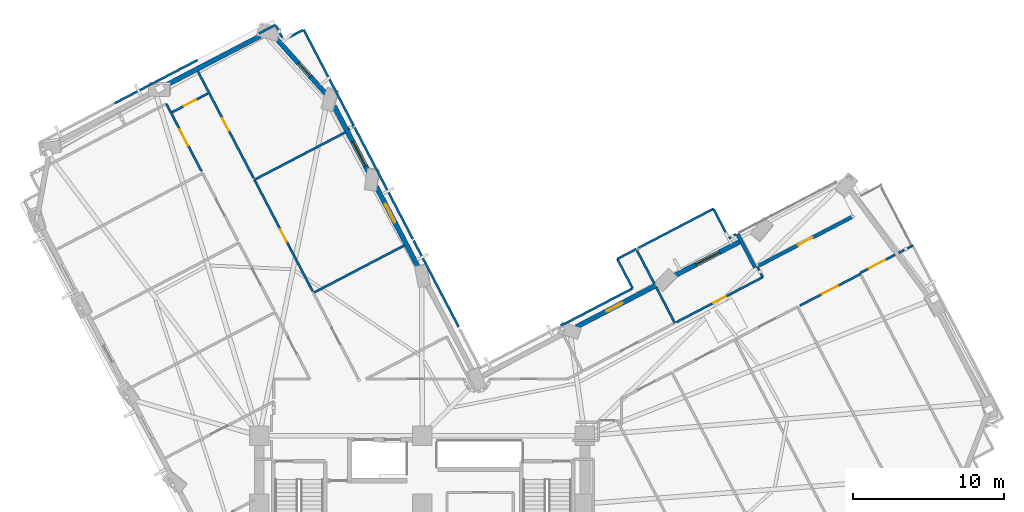
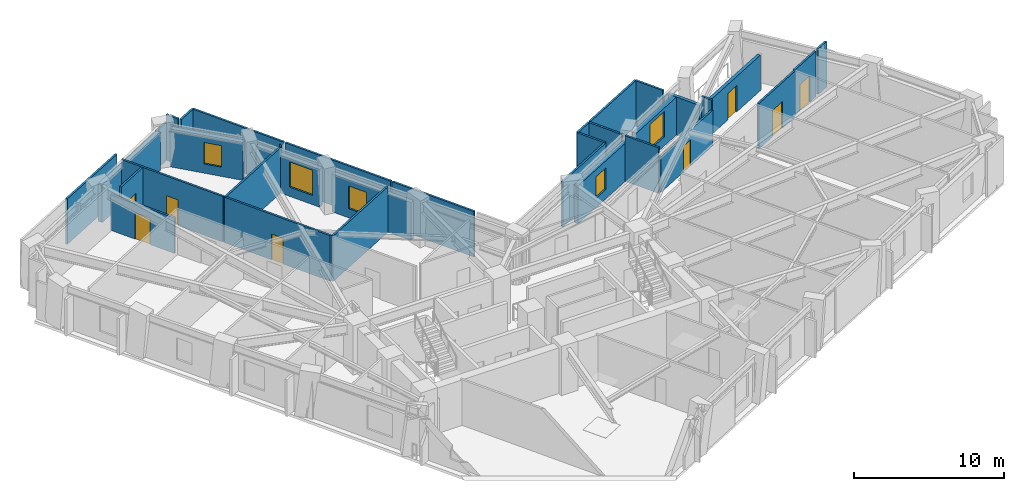
# One storey, part 11 of 16: 35 walls, 8 doors, 5 windows, 13 openings.
"""IFC4 building model written with IfcOpenShell, lengths in metres."""

from ifc_helpers import new_model, si_unit, direction, frame, frame_2d, origin, place, context, subcontext, project, spatial, rectangle, extrude, material, layer, layer_set, type_object, element, fill, save


model = new_model("IFC4")

# Units and contexts
model_context = context("Model", 3, precision=1e-05, world=origin(), true_north=direction((0.0, 1.0)))
body_context = subcontext(model_context, "Body", "Model", "MODEL_VIEW")
ifc_project = project(units=[si_unit("LENGTHUNIT", "METRE"), si_unit("AREAUNIT", "SQUARE_METRE"), si_unit("VOLUMEUNIT", "CUBIC_METRE"), si_unit("PLANEANGLEUNIT", "RADIAN"), si_unit("MASSUNIT", "GRAM", prefix="KILO")], contexts=[model_context])

# Site, building, storey
site_placement = place(None, origin())
site = spatial("IfcSite", under=ifc_project, at=site_placement, CompositionType="ELEMENT")
building_placement = place(site_placement, origin())
building = spatial("IfcBuilding", under=site, at=building_placement, Name="Gaonmaruhae Medical Tower", CompositionType="ELEMENT")
storey_placement = place(building_placement, frame((0.0, 0.0, 140.39990234375)))
storey = spatial("IfcBuildingStorey", under=building, at=storey_placement, Name="L33", CompositionType="ELEMENT", Elevation=140.39990234375)

# Wall, opening, door
ifc_material_1 = material(Name="Precast concrete C45/55", Category="concrete")
ifc_layer_1 = layer(ifc_material_1, 0.239990234375)
ifc_layer_set_1 = layer_set([ifc_layer_1], Name="Precast concrete C45/55")
wall_type_1 = type_object("IfcWallType", Name="EW-240 Ribbon & Shelter Insulated Precast Wall", PredefinedType="SOLIDWALL", material=ifc_layer_set_1)
wall_1_placement = place(storey_placement, frame((47.1318359375, 28.092041015625, 0.0), z_axis=(0.0, 0.0, 1.0), x_axis=(0.886598605973, 0.462539632774, 0.0)))
wall_1 = element("IfcWall", 1, at=wall_1_placement, inside=storey, type_object=wall_type_1, Name="L33 Recessed Terrace Enclosure Wall TERB", PredefinedType="SOLIDWALL", context=body_context, shape_type="SweptSolid", body=[
    extrude(rectangle(XDim=6.9599609375, YDim=0.239990234375, at=frame_2d((3.47998046875, 0.0))), origin(), (0.0, 0.0, 1.0), 2.885009765625),
])
opening_1_placement = place(wall_1_placement, frame((2.929931640625, 0.0, 0.0)))
opening_1 = element("IfcOpeningElement", 2, at=opening_1_placement, cuts=wall_1, Name="Opening TD-01", PredefinedType="OPENING", context=body_context, shape_type="SweptSolid", body=[
    extrude(rectangle(XDim=1.10009765625, YDim=2.14990234375, at=frame_2d((0.550048828125, 1.074951171875))), frame((0.0, 0.1298828125, 0.0), z_axis=(0.0, -1.0, 0.0), x_axis=(1.0, 0.0, 0.0)), (0.0, 0.0, 1.0), 0.260009765625),
])
ifc_material_2 = material(Name="Anodised aluminium and toughened safety glass", Category="aluminium")
door_type_1 = type_object("IfcDoorType", Name="TD-01 Terrace & Sky Garden Glazed Door 1100x2150", OperationType="NOTDEFINED", PredefinedType="DOOR", material=ifc_material_2)
door_1_placement = place(opening_1_placement, origin())
door_1 = element("IfcDoor", 3, at=door_1_placement, inside=storey, type_object=door_type_1, Name="L33 Outdoor Terrace Access Door SLB-L33-TER", OperationType="SINGLE_SWING_LEFT", OverallHeight=2.14990234375, OverallWidth=1.10009765625, PredefinedType="DOOR", context=body_context, shape_type="SweptSolid", body=[
    extrude(rectangle(XDim=1.10009765625, YDim=2.14990234375, at=frame_2d((0.550048828125, 1.074951171875))), frame((0.0, 0.02490234375, 0.0), z_axis=(0.0, -1.0, 0.0), x_axis=(1.0, 0.0, 0.0)), (0.0, 0.0, 1.0), 0.050048828125),
])
fill(opening_1, door_1)

# Wall
wall_2_placement = place(storey_placement, frame((45.727294921875, 30.178955078125, 0.0), z_axis=(0.0, 0.0, 1.0), x_axis=(0.462499256791, -0.886619669005, 0.0)))
element("IfcWall", 4, at=wall_2_placement, inside=storey, type_object=wall_type_1, Name="L33 Recessed Terrace Enclosure Wall TERL", PredefinedType="SOLIDWALL", context=body_context, shape_type="SweptSolid", body=[
    extrude(rectangle(XDim=2.5, YDim=0.239990234375, at=frame_2d((1.25, 0.0))), origin(), (0.0, 0.0, 1.0), 3.085205078125),
])

# Wall, opening, window
ifc_layer_2 = layer(ifc_material_1, 0.320068359375)
ifc_layer_set_2 = layer_set([ifc_layer_2], Name="Precast concrete C45/55")
wall_type_2 = type_object("IfcWallType", Name="EW-320 Lower Precast Masonry-Frame Facade Wall", PredefinedType="SOLIDWALL", material=ifc_layer_set_2)
wall_3_placement = place(storey_placement, frame((41.408447265625, 27.350830078125, 0.0), z_axis=(0.0, 0.0, 1.0), x_axis=(0.886613768791, 0.462510567436, 0.0)))
wall_3 = element("IfcWall", 5, at=wall_3_placement, inside=storey, type_object=wall_type_2, Name="L33 Precast Masonry-Frame Wall EN01-EN02", PredefinedType="SOLIDWALL", context=body_context, shape_type="SweptSolid", body=[
    extrude(rectangle(XDim=5.1171875, YDim=0.320068359375, at=frame_2d((2.55859375, 0.0))), origin(), (0.0, 0.0, 1.0), 3.085205078125),
])
opening_2_placement = place(wall_3_placement, frame((1.734619140625, 0.0, 0.75)))
opening_2 = element("IfcOpeningElement", 6, at=opening_2_placement, cuts=wall_3, Name="Opening WN-04", PredefinedType="OPENING", context=body_context, shape_type="SweptSolid", body=[
    extrude(rectangle(XDim=1.800048828125, YDim=2.050048828125, at=frame_2d((0.89990234375, 1.02490234375))), frame((0.0, 0.169921875, 0.0), z_axis=(0.0, -1.0, 0.0), x_axis=(1.0, 0.0, 0.0)), (0.0, 0.0, 1.0), 0.340087890625),
])
ifc_material_3 = material(Name="Anodised aluminium and Low-E double glazing", Category="aluminium")
window_type_1 = type_object("IfcWindowType", Name="WN-04 Clinic & Consult Punched Window 1800x2050", PartitioningType="SINGLE_PANEL", PredefinedType="WINDOW", material=ifc_material_3)
window_1_placement = place(opening_2_placement, origin())
window_1 = element("IfcWindow", 7, at=window_1_placement, inside=storey, type_object=window_type_1, Name="L33 Modular Facade Window EN01", OverallHeight=2.050048828125, OverallWidth=1.800048828125, PartitioningType="SINGLE_PANEL", PredefinedType="WINDOW", context=body_context, shape_type="SweptSolid", body=[
    extrude(rectangle(XDim=1.800048828125, YDim=2.050048828125, at=frame_2d((0.89990234375, 1.02490234375))), frame((0.0, 0.030029296875, 0.0), z_axis=(0.0, -1.0, 0.0), x_axis=(1.0, 0.0, 0.0)), (0.0, 0.0, 1.0), 0.06005859375),
])
fill(opening_2, window_1)

wall_4_placement = place(storey_placement, frame((35.02880859375, 24.022705078125, 0.0), z_axis=(0.0, 0.0, 1.0), x_axis=(0.886606572036, 0.462524363058, 0.0)))
wall_4 = element("IfcWall", 8, at=wall_4_placement, inside=storey, type_object=wall_type_2, Name="L33 Precast Masonry-Frame Wall EN02-EN03", PredefinedType="SOLIDWALL", context=body_context, shape_type="SweptSolid", body=[
    extrude(rectangle(XDim=6.211181640625, YDim=0.320068359375, at=frame_2d((3.10546875, 0.0))), origin(), (0.0, 0.0, 1.0), 3.085205078125),
])
opening_3_placement = place(wall_4_placement, frame((2.25341796875, 0.0, 0.75)))
opening_3 = element("IfcOpeningElement", 9, at=opening_3_placement, cuts=wall_4, Name="Opening WN-05", PredefinedType="OPENING", context=body_context, shape_type="SweptSolid", body=[
    extrude(rectangle(XDim=1.199951171875, YDim=1.75, at=frame_2d((0.60009765625, 0.875))), frame((0.0, 0.169921875, 0.0), z_axis=(0.0, -1.0, 0.0), x_axis=(1.0, 0.0, 0.0)), (0.0, 0.0, 1.0), 0.340087890625),
])
window_type_2 = type_object("IfcWindowType", Name="WN-05 Support & Staff Punched Window 1200x1750", PartitioningType="SINGLE_PANEL", PredefinedType="WINDOW", material=ifc_material_3)
window_2_placement = place(opening_3_placement, origin())
window_2 = element("IfcWindow", 10, at=window_2_placement, inside=storey, type_object=window_type_2, Name="L33 Modular Facade Window EN02", OverallHeight=1.75, OverallWidth=1.199951171875, PartitioningType="SINGLE_PANEL", PredefinedType="WINDOW", context=body_context, shape_type="SweptSolid", body=[
    extrude(rectangle(XDim=1.199951171875, YDim=1.75, at=frame_2d((0.60009765625, 0.875))), frame((0.0, 0.030029296875, 0.0), z_axis=(0.0, -1.0, 0.0), x_axis=(1.0, 0.0, 0.0)), (0.0, 0.0, 1.0), 0.06005859375),
])
fill(opening_3, window_2)

wall_5_placement = place(storey_placement, frame((21.75146484375, 33.350830078125, 0.0), z_axis=(0.0, 0.0, 1.0), x_axis=(0.462527122244, -0.88660513262, 0.0)))
wall_5 = element("IfcWall", 11, at=wall_5_placement, inside=storey, type_object=wall_type_2, Name="L33 Precast Masonry-Frame Wall NE01-NE02", PredefinedType="SOLIDWALL", context=body_context, shape_type="SweptSolid", body=[
    extrude(rectangle(XDim=6.22265625, YDim=0.320068359375, at=frame_2d((3.111328125, 0.0))), origin(), (0.0, 0.0, 1.0), 3.085205078125),
])
opening_4_placement = place(wall_5_placement, frame((1.308837890625, 0.0, 0.75)))
opening_4 = element("IfcOpeningElement", 12, at=opening_4_placement, cuts=wall_5, Name="Opening WN-03", PredefinedType="OPENING", context=body_context, shape_type="SweptSolid", body=[
    extrude(rectangle(XDim=1.39990234375, YDim=1.85009765625, at=frame_2d((0.699951171875, 0.925048828125))), frame((0.0, 0.169921875, 0.0), z_axis=(0.0, -1.0, 0.0), x_axis=(1.0, 0.0, 0.0)), (0.0, 0.0, 1.0), 0.340087890625),
])
window_type_3 = type_object("IfcWindowType", Name="WN-03 Isolation Ward Punched Window 1400x1850", PartitioningType="SINGLE_PANEL", PredefinedType="WINDOW", material=ifc_material_3)
window_3_placement = place(opening_4_placement, origin())
window_3 = element("IfcWindow", 13, at=window_3_placement, inside=storey, type_object=window_type_3, Name="L33 Modular Facade Window NE01", OverallHeight=1.85009765625, OverallWidth=1.39990234375, PartitioningType="SINGLE_PANEL", PredefinedType="WINDOW", context=body_context, shape_type="SweptSolid", body=[
    extrude(rectangle(XDim=1.39990234375, YDim=1.85009765625, at=frame_2d((0.699951171875, 0.925048828125))), frame((0.0, 0.030029296875, 0.0), z_axis=(0.0, -1.0, 0.0), x_axis=(1.0, 0.0, 0.0)), (0.0, 0.0, 1.0), 0.06005859375),
])
fill(opening_4, window_3)

wall_6_placement = place(storey_placement, frame((18.969970703125, 38.682861328125, 0.0), z_axis=(0.0, 0.0, 1.0), x_axis=(0.462529637731, -0.886603820328, 0.0)))
wall_6 = element("IfcWall", 14, at=wall_6_placement, inside=storey, type_object=wall_type_2, Name="L33 Precast Masonry-Frame Wall NE02-NE03", PredefinedType="SOLIDWALL", context=body_context, shape_type="SweptSolid", body=[
    extrude(rectangle(XDim=5.047119140625, YDim=0.320068359375, at=frame_2d((2.5234375, 0.0))), origin(), (0.0, 0.0, 1.0), 3.085205078125),
])
opening_5_placement = place(wall_6_placement, frame((2.673095703125, 0.0, 0.75)))
opening_5 = element("IfcOpeningElement", 15, at=opening_5_placement, cuts=wall_6, Name="Opening WN-04", PredefinedType="OPENING", context=body_context, shape_type="SweptSolid", body=[
    extrude(rectangle(XDim=1.800048828125, YDim=2.050048828125, at=frame_2d((0.89990234375, 1.02490234375))), frame((0.0, 0.169921875, 0.0), z_axis=(0.0, -1.0, 0.0), x_axis=(1.0, 0.0, 0.0)), (0.0, 0.0, 1.0), 0.340087890625),
])
window_4_placement = place(opening_5_placement, origin())
window_4 = element("IfcWindow", 16, at=window_4_placement, inside=storey, type_object=window_type_1, Name="L33 Modular Facade Window NE02", OverallHeight=2.050048828125, OverallWidth=1.800048828125, PartitioningType="SINGLE_PANEL", PredefinedType="WINDOW", context=body_context, shape_type="SweptSolid", body=[
    extrude(rectangle(XDim=1.800048828125, YDim=2.050048828125, at=frame_2d((0.89990234375, 1.02490234375))), frame((0.0, 0.030029296875, 0.0), z_axis=(0.0, -1.0, 0.0), x_axis=(1.0, 0.0, 0.0)), (0.0, 0.0, 1.0), 0.06005859375),
])
fill(opening_5, window_4)

wall_7_placement = place(storey_placement, frame((14.998046875, 43.2998046875, 0.0), z_axis=(0.0, 0.0, 1.0), x_axis=(0.66822271705, -0.743961289596, 0.0)))
wall_7 = element("IfcWall", 17, at=wall_7_placement, inside=storey, type_object=wall_type_2, Name="L33 Precast Masonry-Frame Wall NE03-N01", PredefinedType="SOLIDWALL", context=body_context, shape_type="SweptSolid", body=[
    extrude(rectangle(XDim=5.12841796875, YDim=0.320068359375, at=frame_2d((2.564208984375, 0.0))), origin(), (0.0, 0.0, 1.0), 3.085205078125),
])
opening_6_placement = place(wall_7_placement, frame((2.393310546875, 0.0, 0.75)))
opening_6 = element("IfcOpeningElement", 18, at=opening_6_placement, cuts=wall_7, Name="Opening WN-05", PredefinedType="OPENING", context=body_context, shape_type="SweptSolid", body=[
    extrude(rectangle(XDim=1.199951171875, YDim=1.75, at=frame_2d((0.60009765625, 0.875))), frame((0.0, 0.169921875, 0.0), z_axis=(0.0, -1.0, 0.0), x_axis=(1.0, 0.0, 0.0)), (0.0, 0.0, 1.0), 0.340087890625),
])
window_5_placement = place(opening_6_placement, origin())
window_5 = element("IfcWindow", 19, at=window_5_placement, inside=storey, type_object=window_type_2, Name="L33 Modular Facade Window NE03", OverallHeight=1.75, OverallWidth=1.199951171875, PartitioningType="SINGLE_PANEL", PredefinedType="WINDOW", context=body_context, shape_type="SweptSolid", body=[
    extrude(rectangle(XDim=1.199951171875, YDim=1.75, at=frame_2d((0.60009765625, 0.875))), frame((0.0, 0.030029296875, 0.0), z_axis=(0.0, -1.0, 0.0), x_axis=(1.0, 0.0, 0.0)), (0.0, 0.0, 1.0), 0.06005859375),
])
fill(opening_6, window_5)

# Wall
wall_8_placement = place(storey_placement, frame((7.658447265625, 39.9716796875, 0.0), z_axis=(0.0, 0.0, 1.0), x_axis=(0.886603508344, 0.462530235759, 0.0)))
element("IfcWall", 20, at=wall_8_placement, inside=storey, type_object=wall_type_2, Name="L33 Precast Masonry-Frame Wall N01-N02", PredefinedType="SOLIDWALL", context=body_context, shape_type="SweptSolid", body=[
    extrude(rectangle(XDim=7.23095703125, YDim=0.320068359375, at=frame_2d((3.615478515625, 0.0))), origin(), (0.0, 0.0, 1.0), 3.085205078125),
])

# Wall, opening, door
ifc_material_4 = material(Name="Gypsum board partition", Category="gypsum")
ifc_layer_3 = layer(ifc_material_4, 0.14990234375)
ifc_layer_set_3 = layer_set([ifc_layer_3], Name="Gypsum board partition")
wall_type_3 = type_object("IfcWallType", Name="PW-150 Rated Clinical Corridor Partition", PredefinedType="PARTITIONING", material=ifc_layer_set_3)
wall_9_placement = place(storey_placement, frame((49.847900390625, 25.43701171875, 0.0), z_axis=(0.0, 0.0, 1.0), x_axis=(0.886582928488, 0.462569682225, 0.0)))
wall_9 = element("IfcWall", 21, at=wall_9_placement, inside=storey, type_object=wall_type_3, Name="L33 Interior Partition L33-SUP10-31", PredefinedType="PARTITIONING", context=body_context, shape_type="SweptSolid", body=[
    extrude(rectangle(XDim=4.5400390625, YDim=0.14990234375, at=frame_2d((2.27001953125, 0.0))), origin(), (0.0, 0.0, 1.0), 3.7001953125),
])
opening_7_placement = place(wall_9_placement, frame((1.669921875, 0.0, 0.0)))
opening_7 = element("IfcOpeningElement", 22, at=opening_7_placement, cuts=wall_9, Name="Opening CD-02", PredefinedType="OPENING", context=body_context, shape_type="SweptSolid", body=[
    extrude(rectangle(XDim=1.199951171875, YDim=2.14990234375, at=frame_2d((0.60009765625, 1.074951171875))), frame((0.0, 0.0849609375, 0.0), z_axis=(0.0, -1.0, 0.0), x_axis=(1.0, 0.0, 0.0)), (0.0, 0.0, 1.0), 0.169921875),
])
ifc_material_5 = material(Name="Antimicrobial laminate timber fire door", Category="wood")
door_type_2 = type_object("IfcDoorType", Name="CD-02 Clinical Treatment & Procedure Door 1200x2150", OperationType="NOTDEFINED", PredefinedType="DOOR", material=ifc_material_5)
door_2_placement = place(opening_7_placement, origin())
door_2 = element("IfcDoor", 23, at=door_2_placement, inside=storey, type_object=door_type_2, Name="L33 Clinical Biomedical Charting Office Door", OperationType="SINGLE_SWING_RIGHT", OverallHeight=2.14990234375, OverallWidth=1.199951171875, PredefinedType="DOOR", context=body_context, shape_type="SweptSolid", body=[
    extrude(rectangle(XDim=1.199951171875, YDim=2.14990234375, at=frame_2d((0.60009765625, 1.074951171875))), frame((0.0, 0.02490234375, 0.0), z_axis=(0.0, -1.0, 0.0), x_axis=(1.0, 0.0, 0.0)), (0.0, 0.0, 1.0), 0.050048828125),
])
fill(opening_7, door_2)

wall_10_placement = place(storey_placement, frame((7.842041015625, 38.826904296875, 0.0), z_axis=(0.0, 0.0, 1.0), x_axis=(0.462473305165, -0.886633206016, 0.0)))
wall_10 = element("IfcWall", 24, at=wall_10_placement, inside=storey, type_object=wall_type_3, Name="L33 Interior Partition L33-WOF16-56", PredefinedType="PARTITIONING", context=body_context, shape_type="SweptSolid", body=[
    extrude(rectangle(XDim=5.04052734375, YDim=0.14990234375, at=frame_2d((2.520263671875, 0.0))), origin(), (0.0, 0.0, 1.0), 2.885009765625),
])
opening_8_placement = place(wall_10_placement, frame((1.920166015625, 0.0, 0.0)))
opening_8 = element("IfcOpeningElement", 25, at=opening_8_placement, cuts=wall_10, Name="Opening CD-02", PredefinedType="OPENING", context=body_context, shape_type="SweptSolid", body=[
    extrude(rectangle(XDim=1.199951171875, YDim=2.14990234375, at=frame_2d((0.60009765625, 1.074951171875))), frame((0.0, 0.0849609375, 0.0), z_axis=(0.0, -1.0, 0.0), x_axis=(1.0, 0.0, 0.0)), (0.0, 0.0, 1.0), 0.169921875),
])
door_3_placement = place(opening_8_placement, origin())
door_3 = element("IfcDoor", 26, at=door_3_placement, inside=storey, type_object=door_type_2, Name="L33 Ward Physician Reporting Office Door", OperationType="SINGLE_SWING_RIGHT", OverallHeight=2.14990234375, OverallWidth=1.199951171875, PredefinedType="DOOR", context=body_context, shape_type="SweptSolid", body=[
    extrude(rectangle(XDim=1.199951171875, YDim=2.14990234375, at=frame_2d((0.60009765625, 1.074951171875))), frame((0.0, 0.02490234375, 0.0), z_axis=(0.0, -1.0, 0.0), x_axis=(1.0, 0.0, 0.0)), (0.0, 0.0, 1.0), 0.050048828125),
])
fill(opening_8, door_3)

# Walls
wall_11_placement = place(storey_placement, frame((37.739990234375, 28.5390625, 0.0), z_axis=(0.0, 0.0, 1.0), x_axis=(0.886581790222, 0.462571863872, 0.0)))
element("IfcWall", 27, at=wall_11_placement, inside=storey, type_object=wall_type_3, Name="L33 Interior Partition L33-IE03-72", PredefinedType="PARTITIONING", context=body_context, shape_type="SweptSolid", body=[
    extrude(rectangle(XDim=1.424560546875, YDim=0.14990234375, at=frame_2d((0.71240234375, 0.0))), origin(), (0.0, 0.0, 1.0), 3.7001953125),
])
wall_12_placement = place(storey_placement, frame((39.0029296875, 29.197998046875, 0.0), z_axis=(0.0, 0.0, 1.0), x_axis=(0.462272474662, -0.886737931505, 0.0)))
element("IfcWall", 28, at=wall_12_placement, inside=storey, type_object=wall_type_3, Name="L33 Interior Partition L33-IE03-73", PredefinedType="PARTITIONING", context=body_context, shape_type="SweptSolid", body=[
    extrude(rectangle(XDim=2.615234375, YDim=0.14990234375, at=frame_2d((1.3076171875, 0.0))), origin(), (0.0, 0.0, 1.0), 3.7001953125),
])
wall_13_placement = place(storey_placement, frame((40.3369140625, 26.639892578125, 0.0), z_axis=(0.0, 0.0, 1.0), x_axis=(0.462522010932, -0.886607799088, 0.0)))
element("IfcWall", 29, at=wall_13_placement, inside=storey, type_object=wall_type_3, Name="L33 Interior Partition L33-IE03-74", PredefinedType="PARTITIONING", context=body_context, shape_type="SweptSolid", body=[
    extrude(rectangle(XDim=2.655029296875, YDim=0.14990234375, at=frame_2d((1.32763671875, 0.0))), origin(), (0.0, 0.0, 1.0), 3.7001953125),
])
wall_14_placement = place(storey_placement, frame((33.9951171875, 24.10400390625, 0.0), z_axis=(0.0, 0.0, 1.0), x_axis=(0.886670732114, 0.462401354684, 0.0)))
element("IfcWall", 30, at=wall_14_placement, inside=storey, type_object=wall_type_3, Name="L33 Interior Partition L33-IE03-77", PredefinedType="PARTITIONING", context=body_context, shape_type="SweptSolid", body=[
    extrude(rectangle(XDim=5.371826171875, YDim=0.14990234375, at=frame_2d((2.68603515625, 0.0))), origin(), (0.0, 0.0, 1.0), 3.7001953125),
])
wall_15_placement = place(storey_placement, frame((38.758056640625, 26.587890625, 0.0), z_axis=(0.0, 0.0, 1.0), x_axis=(-0.462588753486, 0.886572977903, 0.0)))
element("IfcWall", 31, at=wall_15_placement, inside=storey, type_object=wall_type_3, Name="L33 Interior Partition L33-IE03-78", PredefinedType="PARTITIONING", context=body_context, shape_type="SweptSolid", body=[
    extrude(rectangle(XDim=2.20068359375, YDim=0.14990234375, at=frame_2d((1.100341796875, 0.0))), origin(), (0.0, 0.0, 1.0), 3.7001953125),
])
wall_16_placement = place(storey_placement, frame((47.02490234375, 28.035888671875, 0.0), z_axis=(0.0, 0.0, 1.0), x_axis=(0.462774641354, -0.886475962065, 0.0)))
element("IfcWall", 32, at=wall_16_placement, inside=storey, type_object=wall_type_3, Name="L33 Interior Partition L33-IE04-79", PredefinedType="PARTITIONING", context=body_context, shape_type="SweptSolid", body=[
    extrude(rectangle(XDim=0.7998046875, YDim=0.14990234375, at=frame_2d((0.39990234375, 0.0))), origin(), (0.0, 0.0, 1.0), 3.7001953125),
])

# Wall, opening, door
wall_17_placement = place(storey_placement, frame((47.39501953125, 27.326904296875, 0.0), z_axis=(0.0, 0.0, 1.0), x_axis=(-0.886626647705, -0.462485878249, 0.0)))
wall_17 = element("IfcWall", 33, at=wall_17_placement, inside=storey, type_object=wall_type_3, Name="L33 Interior Partition L33-IE04-80", PredefinedType="PARTITIONING", context=body_context, shape_type="SweptSolid", body=[
    extrude(rectangle(XDim=6.4560546875, YDim=0.14990234375, at=frame_2d((3.22802734375, 0.0))), origin(), (0.0, 0.0, 1.0), 2.885009765625),
])
opening_9_placement = place(wall_17_placement, frame((2.76806640625, 0.0, 0.0)))
opening_9 = element("IfcOpeningElement", 34, at=opening_9_placement, cuts=wall_17, Name="Opening UD-01", PredefinedType="OPENING", context=body_context, shape_type="SweptSolid", body=[
    extrude(rectangle(XDim=0.919921875, YDim=2.10009765625, at=frame_2d((0.4599609375, 1.050048828125))), frame((0.0, 0.0849609375, 0.0), z_axis=(0.0, -1.0, 0.0), x_axis=(1.0, 0.0, 0.0)), (0.0, 0.0, 1.0), 0.169921875),
])
ifc_material_6 = material(Name="Powder-coated steel utility door", Category="steel")
door_type_3 = type_object("IfcDoorType", Name="UD-01 Toilet, Utility & Housekeeping Door 920x2100", OperationType="NOTDEFINED", PredefinedType="DOOR", material=ifc_material_6)
door_4_placement = place(opening_9_placement, origin())
door_4 = element("IfcDoor", 35, at=door_4_placement, inside=storey, type_object=door_type_3, Name="L33 Accessible Public Toilet Door", OperationType="SINGLE_SWING_LEFT", OverallHeight=2.10009765625, OverallWidth=0.919921875, PredefinedType="DOOR", context=body_context, shape_type="SweptSolid", body=[
    extrude(rectangle(XDim=0.919921875, YDim=2.10009765625, at=frame_2d((0.4599609375, 1.050048828125))), frame((0.0, 0.02490234375, 0.0), z_axis=(0.0, -1.0, 0.0), x_axis=(1.0, 0.0, 0.0)), (0.0, 0.0, 1.0), 0.050048828125),
])
fill(opening_9, door_4)

# Walls
wall_18_placement = place(storey_placement, frame((39.10888671875, 29.2529296875, 0.0), z_axis=(0.0, 0.0, 1.0), x_axis=(0.886630248392, 0.462478975344, 0.0)))
element("IfcWall", 36, at=wall_18_placement, inside=storey, type_object=wall_type_3, Name="L33 Interior Partition L33-IE04-81", PredefinedType="PARTITIONING", context=body_context, shape_type="SweptSolid", body=[
    extrude(rectangle(XDim=5.656494140625, YDim=0.14990234375, at=frame_2d((2.828125, 0.0))), origin(), (0.0, 0.0, 1.0), 3.7001953125),
])
wall_19_placement = place(storey_placement, frame((44.1240234375, 31.868896484375, 0.0), z_axis=(0.0, 0.0, 1.0), x_axis=(0.462285352706, -0.886731217829, 0.0)))
element("IfcWall", 37, at=wall_19_placement, inside=storey, type_object=wall_type_3, Name="L33 Interior Partition L33-IE04-82", PredefinedType="PARTITIONING", context=body_context, shape_type="SweptSolid", body=[
    extrude(rectangle(XDim=2.2001953125, YDim=0.14990234375, at=frame_2d((1.10009765625, 0.0))), origin(), (0.0, 0.0, 1.0), 3.7001953125),
])
wall_20_placement = place(storey_placement, frame((45.14111328125, 29.91796875, 0.0), z_axis=(0.0, 0.0, 1.0), x_axis=(0.885900504864, 0.463875301652, 0.0)))
element("IfcWall", 38, at=wall_20_placement, inside=storey, type_object=wall_type_3, Name="L33 Interior Partition L33-IE04-83", PredefinedType="PARTITIONING", context=body_context, shape_type="SweptSolid", body=[
    extrude(rectangle(XDim=0.55419921875, YDim=0.14990234375, at=frame_2d((0.277099609375, 0.0))), origin(), (0.0, 0.0, 1.0), 3.085205078125),
])
wall_21_placement = place(storey_placement, frame((17.597900390625, 26.287109375, 0.0), z_axis=(0.0, 0.0, 1.0), x_axis=(0.886614228897, 0.462509685431, 0.0)))
element("IfcWall", 39, at=wall_21_placement, inside=storey, type_object=wall_type_3, Name="L33 Interior Partition L33-IN01-84", PredefinedType="PARTITIONING", context=body_context, shape_type="SweptSolid", body=[
    extrude(rectangle(XDim=6.814697265625, YDim=0.14990234375, at=frame_2d((3.4072265625, 0.0))), origin(), (0.0, 0.0, 1.0), 3.7001953125),
])
wall_22_placement = place(storey_placement, frame((24.2470703125, 29.756103515625, 0.0), z_axis=(0.0, 0.0, 1.0), x_axis=(0.462567298335, -0.886584172265, 0.0)))
element("IfcWall", 40, at=wall_22_placement, inside=storey, type_object=wall_type_3, Name="L33 Interior Partition L33-IN01-85", PredefinedType="PARTITIONING", context=body_context, shape_type="SweptSolid", body=[
    extrude(rectangle(XDim=6.459716796875, YDim=0.14990234375, at=frame_2d((3.22998046875, 0.0))), origin(), (0.0, 0.0, 1.0), 3.7001953125),
])

# Wall, opening, door
wall_23_placement = place(storey_placement, frame((17.5419921875, 26.39404296875, 0.0), z_axis=(0.0, 0.0, 1.0), x_axis=(-0.46248796698, 0.886625558169, 0.0)))
wall_23 = element("IfcWall", 41, at=wall_23_placement, inside=storey, type_object=wall_type_3, Name="L33 Interior Partition L33-IN02-87", PredefinedType="PARTITIONING", context=body_context, shape_type="SweptSolid", body=[
    extrude(rectangle(XDim=8.339599609375, YDim=0.14990234375, at=frame_2d((4.169921875, 0.0))), origin(), (0.0, 0.0, 1.0), 3.7001953125),
])
opening_10_placement = place(wall_23_placement, frame((3.709716796875, 0.0, 0.0)))
opening_10 = element("IfcOpeningElement", 42, at=opening_10_placement, cuts=wall_23, Name="Opening UD-01", PredefinedType="OPENING", context=body_context, shape_type="SweptSolid", body=[
    extrude(rectangle(XDim=0.919921875, YDim=2.10009765625, at=frame_2d((0.4599609375, 1.050048828125))), frame((0.0, 0.0849609375, 0.0), z_axis=(0.0, -1.0, 0.0), x_axis=(1.0, 0.0, 0.0)), (0.0, 0.0, 1.0), 0.169921875),
])
door_5_placement = place(opening_10_placement, origin())
door_5 = element("IfcDoor", 43, at=door_5_placement, inside=storey, type_object=door_type_3, Name="L33 Ward Nutrition Pantry Door", OperationType="SINGLE_SWING_LEFT", OverallHeight=2.10009765625, OverallWidth=0.919921875, PredefinedType="DOOR", context=body_context, shape_type="SweptSolid", body=[
    extrude(rectangle(XDim=0.919921875, YDim=2.10009765625, at=frame_2d((0.4599609375, 1.050048828125))), frame((0.0, 0.02490234375, 0.0), z_axis=(0.0, -1.0, 0.0), x_axis=(1.0, 0.0, 0.0)), (0.0, 0.0, 1.0), 0.050048828125),
])
fill(opening_10, door_5)

# Walls
wall_24_placement = place(storey_placement, frame((13.68505859375, 33.7880859375, 0.0), z_axis=(0.0, 0.0, 1.0), x_axis=(0.886614228897, 0.462509685431, 0.0)))
element("IfcWall", 44, at=wall_24_placement, inside=storey, type_object=wall_type_3, Name="L33 Interior Partition L33-IN02-88", PredefinedType="PARTITIONING", context=body_context, shape_type="SweptSolid", body=[
    extrude(rectangle(XDim=6.814697265625, YDim=0.14990234375, at=frame_2d((3.4072265625, 0.0))), origin(), (0.0, 0.0, 1.0), 3.7001953125),
])
wall_25_placement = place(storey_placement, frame((20.333984375, 37.257080078125, 0.0), z_axis=(0.0, 0.0, 1.0), x_axis=(0.462531995197, -0.886602590465, 0.0)))
element("IfcWall", 45, at=wall_25_placement, inside=storey, type_object=wall_type_3, Name="L33 Interior Partition L33-IN02-89", PredefinedType="PARTITIONING", context=body_context, shape_type="SweptSolid", body=[
    extrude(rectangle(XDim=8.3408203125, YDim=0.14990234375, at=frame_2d((4.17041015625, 0.0))), origin(), (0.0, 0.0, 1.0), 3.7001953125),
])
wall_26_placement = place(storey_placement, frame((16.948974609375, 43.7470703125, 0.0), z_axis=(0.0, 0.0, 1.0), x_axis=(0.462487208348, -0.886625953892, 0.0)))
element("IfcWall", 46, at=wall_26_placement, inside=storey, type_object=wall_type_3, Name="L33 Interior Partition L33-IN03-90", PredefinedType="PARTITIONING", context=body_context, shape_type="SweptSolid", body=[
    extrude(rectangle(XDim=7.200439453125, YDim=0.14990234375, at=frame_2d((3.60009765625, 0.0))), origin(), (0.0, 0.0, 1.0), 3.7001953125),
])
wall_27_placement = place(storey_placement, frame((20.235107421875, 37.340087890625, 0.0), z_axis=(0.0, 0.0, 1.0), x_axis=(-0.886549133333, -0.462634449849, 0.0)))
element("IfcWall", 47, at=wall_27_placement, inside=storey, type_object=wall_type_3, Name="L33 Interior Partition L33-IN03-91", PredefinedType="PARTITIONING", context=body_context, shape_type="SweptSolid", body=[
    extrude(rectangle(XDim=0.36572265625, YDim=0.14990234375, at=frame_2d((0.182861328125, 0.0))), origin(), (0.0, 0.0, 1.0), 3.7001953125),
])

# Wall, opening, door
wall_28_placement = place(storey_placement, frame((13.62890625, 33.89404296875, 0.0), z_axis=(0.0, 0.0, 1.0), x_axis=(-0.462450459837, 0.886645121904, 0.0)))
wall_28 = element("IfcWall", 48, at=wall_28_placement, inside=storey, type_object=wall_type_3, Name="L33 Interior Partition L33-IN03-92", PredefinedType="PARTITIONING", context=body_context, shape_type="SweptSolid", body=[
    extrude(rectangle(XDim=8.015625, YDim=0.14990234375, at=frame_2d((4.0078125, 0.0))), origin(), (0.0, 0.0, 1.0), 3.7001953125),
])
opening_11_placement = place(wall_28_placement, frame((3.5478515625, 0.0, 0.0)))
opening_11 = element("IfcOpeningElement", 49, at=opening_11_placement, cuts=wall_28, Name="Opening UD-01", PredefinedType="OPENING", context=body_context, shape_type="SweptSolid", body=[
    extrude(rectangle(XDim=0.919921875, YDim=2.10009765625, at=frame_2d((0.4599609375, 1.050048828125))), frame((0.0, 0.0849609375, 0.0), z_axis=(0.0, -1.0, 0.0), x_axis=(1.0, 0.0, 0.0)), (0.0, 0.0, 1.0), 0.169921875),
])
door_6_placement = place(opening_11_placement, origin())
door_6 = element("IfcDoor", 50, at=door_6_placement, inside=storey, type_object=door_type_3, Name="L33 Public Visitor Toilet Door", OperationType="SINGLE_SWING_LEFT", OverallHeight=2.10009765625, OverallWidth=0.919921875, PredefinedType="DOOR", context=body_context, shape_type="SweptSolid", body=[
    extrude(rectangle(XDim=0.919921875, YDim=2.10009765625, at=frame_2d((0.4599609375, 1.050048828125))), frame((0.0, 0.02490234375, 0.0), z_axis=(0.0, -1.0, 0.0), x_axis=(1.0, 0.0, 0.0)), (0.0, 0.0, 1.0), 0.050048828125),
])
fill(opening_11, door_6)

# Walls
wall_29_placement = place(storey_placement, frame((13.98095703125, 43.485107421875, 0.0), z_axis=(0.0, 0.0, 1.0), x_axis=(0.886692611484, 0.462359397807, 0.0)))
element("IfcWall", 51, at=wall_29_placement, inside=storey, type_object=wall_type_3, Name="L33 Interior Partition L33-IN03-93", PredefinedType="PARTITIONING", context=body_context, shape_type="SweptSolid", body=[
    extrude(rectangle(XDim=1.251953125, YDim=0.14990234375, at=frame_2d((0.6259765625, 0.0))), origin(), (0.0, 0.0, 1.0), 3.085205078125),
])
wall_30_placement = place(storey_placement, frame((15.114013671875, 44.02001953125, 0.0), z_axis=(0.0, 0.0, 1.0), x_axis=(0.462883996774, -0.886418865735, 0.0)))
element("IfcWall", 52, at=wall_30_placement, inside=storey, type_object=wall_type_3, Name="L33 Interior Partition L33-IN03-94", PredefinedType="PARTITIONING", context=body_context, shape_type="SweptSolid", body=[
    extrude(rectangle(XDim=0.918212890625, YDim=0.14990234375, at=frame_2d((0.458984375, 0.0))), origin(), (0.0, 0.0, 1.0), 3.7001953125),
])
wall_31_placement = place(storey_placement, frame((15.618896484375, 43.052978515625, 0.0), z_axis=(0.0, 0.0, 1.0), x_axis=(0.886551836058, 0.462629270563, 0.0)))
element("IfcWall", 53, at=wall_31_placement, inside=storey, type_object=wall_type_3, Name="L33 Interior Partition L33-IN03-95", PredefinedType="PARTITIONING", context=body_context, shape_type="SweptSolid", body=[
    extrude(rectangle(XDim=1.45068359375, YDim=0.14990234375, at=frame_2d((0.725341796875, 0.0))), origin(), (0.0, 0.0, 1.0), 3.7001953125),
])
wall_32_placement = place(storey_placement, frame((4.4150390625, 38.865966796875, 0.0), z_axis=(0.0, 0.0, 1.0), x_axis=(0.886603833565, 0.462529612359, 0.0)))
element("IfcWall", 54, at=wall_32_placement, inside=storey, type_object=wall_type_3, Name="L33 Interior Partition L33-RM03-100", PredefinedType="PARTITIONING", context=body_context, shape_type="SweptSolid", body=[
    extrude(rectangle(XDim=6.18994140625, YDim=0.14990234375, at=frame_2d((3.094970703125, 0.0))), origin(), (0.0, 0.0, 1.0), 3.7001953125),
])

# Wall, opening, door
wall_33_placement = place(storey_placement, frame((10.590087890625, 39.5048828125, 0.0), z_axis=(0.0, 0.0, 1.0), x_axis=(-0.885419541183, -0.464792680764, 0.0)))
wall_33 = element("IfcWall", 55, at=wall_33_placement, inside=storey, type_object=wall_type_3, Name="L33 Interior Partition L33-RM03-101", PredefinedType="PARTITIONING", context=body_context, shape_type="SweptSolid", body=[
    extrude(rectangle(XDim=2.669921875, YDim=0.14990234375, at=frame_2d((1.3349609375, 0.0))), origin(), (0.0, 0.0, 1.0), 3.7001953125),
])
opening_12_placement = place(wall_33_placement, frame((0.875, 0.0, 0.0)))
opening_12 = element("IfcOpeningElement", 56, at=opening_12_placement, cuts=wall_33, Name="Opening UD-01", PredefinedType="OPENING", context=body_context, shape_type="SweptSolid", body=[
    extrude(rectangle(XDim=0.919921875, YDim=2.10009765625, at=frame_2d((0.4599609375, 1.050048828125))), frame((0.0, 0.0849609375, 0.0), z_axis=(0.0, -1.0, 0.0), x_axis=(1.0, 0.0, 0.0)), (0.0, 0.0, 1.0), 0.169921875),
])
door_7_placement = place(opening_12_placement, origin())
door_7 = element("IfcDoor", 57, at=door_7_placement, inside=storey, type_object=door_type_3, Name="L33 Biomedical Mobile Equipment Bay Door", OperationType="SINGLE_SWING_LEFT", OverallHeight=2.10009765625, OverallWidth=0.919921875, PredefinedType="DOOR", context=body_context, shape_type="SweptSolid", body=[
    extrude(rectangle(XDim=0.919921875, YDim=2.10009765625, at=frame_2d((0.4599609375, 1.050048828125))), frame((0.0, 0.02490234375, 0.0), z_axis=(0.0, -1.0, 0.0), x_axis=(1.0, 0.0, 0.0)), (0.0, 0.0, 1.0), 0.050048828125),
])
fill(opening_12, door_7)

wall_34_placement = place(storey_placement, frame((53.840087890625, 27.60009765625, 0.0), z_axis=(0.0, 0.0, 1.0), x_axis=(0.88677688927, 0.462197737615, 0.0)))
wall_34 = element("IfcWall", 58, at=wall_34_placement, inside=storey, type_object=wall_type_3, Name="L33 Interior Partition L33-RM05-107", PredefinedType="PARTITIONING", context=body_context, shape_type="SweptSolid", body=[
    extrude(rectangle(XDim=2.62841796875, YDim=0.14990234375, at=frame_2d((1.314208984375, 0.0))), origin(), (0.0, 0.0, 1.0), 3.7001953125),
])
opening_13_placement = place(wall_34_placement, frame((0.662109375, 0.0, 0.0)))
opening_13 = element("IfcOpeningElement", 59, at=opening_13_placement, cuts=wall_34, Name="Opening CD-02", PredefinedType="OPENING", context=body_context, shape_type="SweptSolid", body=[
    extrude(rectangle(XDim=1.199951171875, YDim=2.14990234375, at=frame_2d((0.60009765625, 1.074951171875))), frame((0.0, 0.0849609375, 0.0), z_axis=(0.0, -1.0, 0.0), x_axis=(1.0, 0.0, 0.0)), (0.0, 0.0, 1.0), 0.169921875),
])
door_8_placement = place(opening_13_placement, origin())
door_8 = element("IfcDoor", 60, at=door_8_placement, inside=storey, type_object=door_type_2, Name="L33 Clinical Case Review Office Door", OperationType="SINGLE_SWING_LEFT", OverallHeight=2.14990234375, OverallWidth=1.199951171875, PredefinedType="DOOR", context=body_context, shape_type="SweptSolid", body=[
    extrude(rectangle(XDim=1.199951171875, YDim=2.14990234375, at=frame_2d((0.60009765625, 1.074951171875))), frame((0.0, 0.02490234375, 0.0), z_axis=(0.0, -1.0, 0.0), x_axis=(1.0, 0.0, 0.0)), (0.0, 0.0, 1.0), 0.050048828125),
])
fill(opening_13, door_8)

# Wall
wall_35_placement = place(storey_placement, frame((56.4130859375, 28.94189453125, 0.0), z_axis=(0.0, 0.0, 1.0), x_axis=(0.886728838072, 0.462289917402, 0.0)))
element("IfcWall", 61, at=wall_35_placement, inside=storey, type_object=wall_type_3, Name="L33 Interior Partition L33-RM05-108", PredefinedType="PARTITIONING", context=body_context, shape_type="SweptSolid", body=[
    extrude(rectangle(XDim=1.057861328125, YDim=0.14990234375, at=frame_2d((0.52880859375, 0.0))), origin(), (0.0, 0.0, 1.0), 3.7001953125),
])

save(model, "model.ifc")
